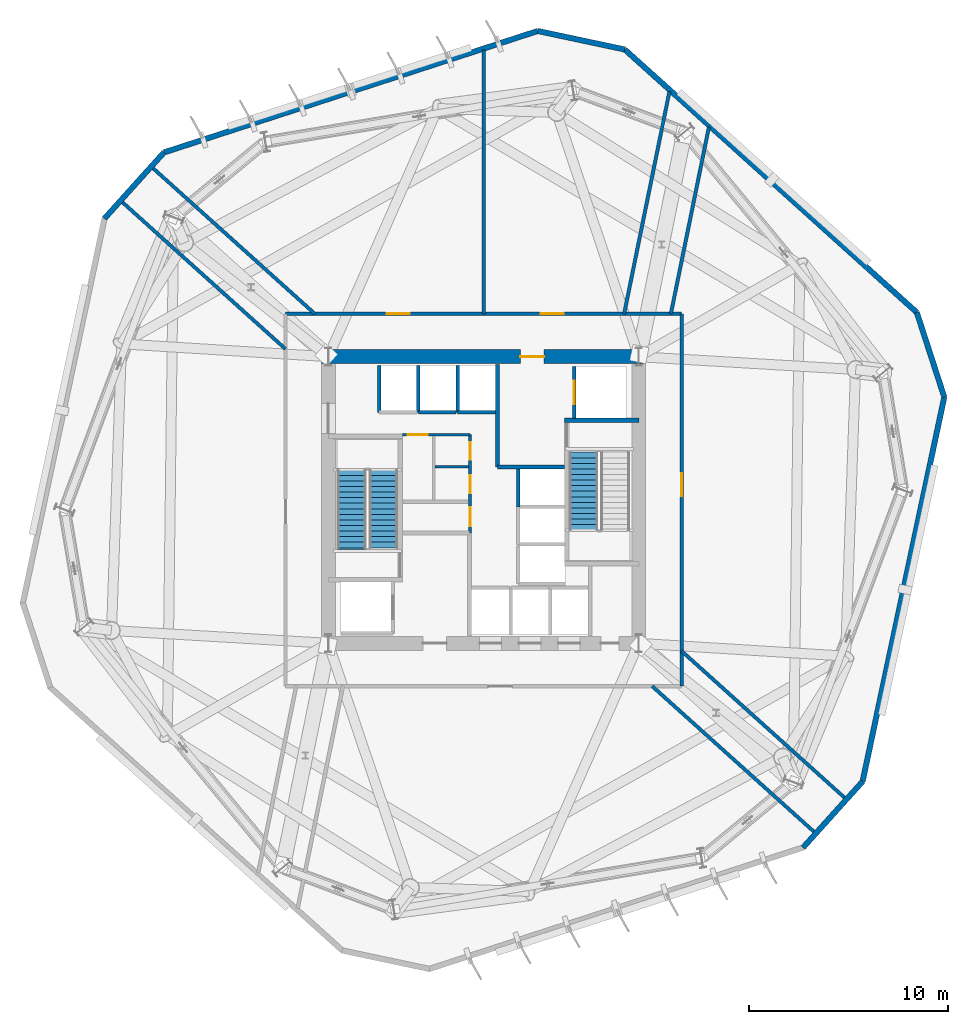
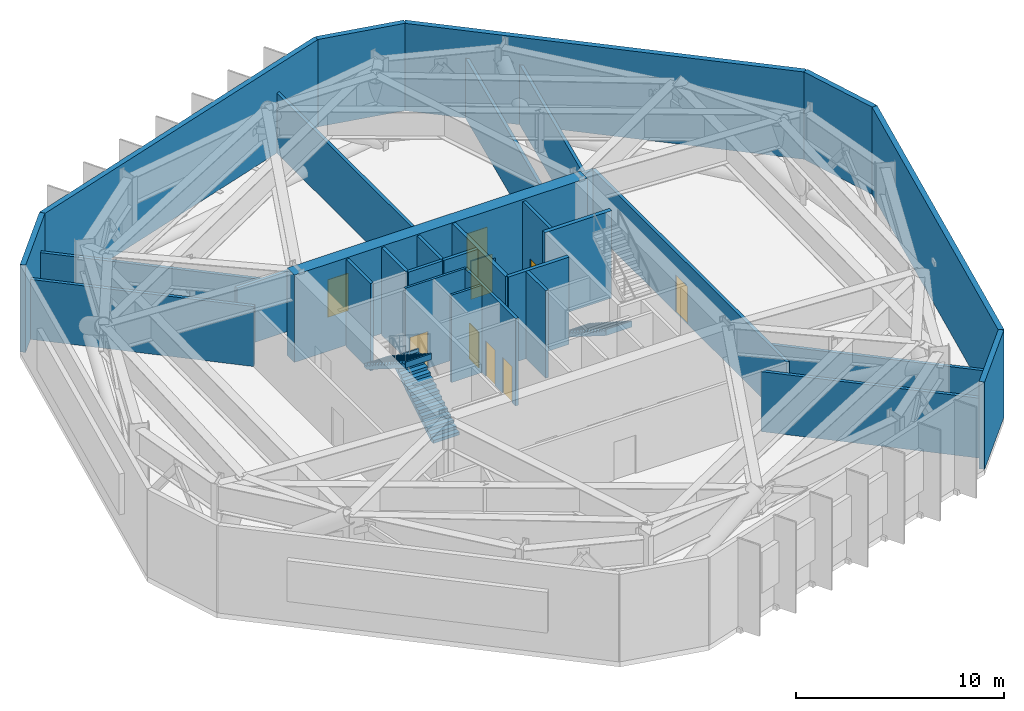
# One storey, part 8 of 12: 30 walls, 9 doors, 3 stair flights, 9 openings, 2 elements without a shape of their own.
"""IFC4 building model written with IfcOpenShell, lengths in metres."""

from ifc_helpers import new_model, si_unit, direction, frame, frame_2d, origin, place, context, subcontext, project, spatial, polyline, rectangle, outline, extrude, material, layer, layer_set, type_object, element, fill, aggregate, save


model = new_model("IFC4")

# Units and contexts
model_context = context("Model", 3, precision=1e-05, world=origin(), true_north=direction((0.0, 1.0)))
body_context = subcontext(model_context, "Body", "Model", "MODEL_VIEW")
ifc_project = project(units=[si_unit("LENGTHUNIT", "METRE"), si_unit("AREAUNIT", "SQUARE_METRE"), si_unit("VOLUMEUNIT", "CUBIC_METRE"), si_unit("PLANEANGLEUNIT", "RADIAN"), si_unit("MASSUNIT", "GRAM", prefix="KILO")], contexts=[model_context])

# Site, building, storey
site_placement = place(None, origin())
site = spatial("IfcSite", under=ifc_project, at=site_placement, CompositionType="ELEMENT")
building_placement = place(site_placement, origin())
building = spatial("IfcBuilding", under=site, at=building_placement, Name="Kranzbogen Civic Tower", CompositionType="ELEMENT")
storey_placement = place(building_placement, frame((0.0, 0.0, 92.0)))
storey = spatial("IfcBuildingStorey", under=building, at=storey_placement, Name="L22", CompositionType="ELEMENT", Elevation=92.0)

# Wall, opening, door
ifc_material_1 = material(Name="Insulated Metal-Stud Gypsum Partition")
ifc_layer_1 = layer(ifc_material_1, 0.125, Name="Insulated Metal-Stud Gypsum Partition")
ifc_layer_set_1 = layer_set([ifc_layer_1], Name="Insulated Metal-Stud Gypsum Partition")
wall_type_1 = type_object("IfcWallType", Name="Acoustic Inter-Room Partition 125 mm", PredefinedType="PARTITIONING", material=ifc_layer_set_1)
wall_1_placement = place(storey_placement, frame((20.919921875, 28.280029296875, 0.0), z_axis=(0.0, 0.0, 1.0), x_axis=(1.0, 0.0, 0.0)))
wall_1 = element("IfcWall", 1, at=wall_1_placement, inside=storey, type_object=wall_type_1, Name="L22 core auxiliary North wall", PredefinedType="PARTITIONING", context=body_context, shape_type="SweptSolid", body=[
    extrude(rectangle(XDim=3.405029296875, YDim=0.125, at=frame_2d((1.70263671875, 0.0))), origin(), (0.0, 0.0, 1.0), 5.139892578125),
])
opening_1_placement = place(wall_1_placement, frame((0.27001953125, 0.0, 0.0)))
opening_1 = element("IfcOpeningElement", 2, at=opening_1_placement, cuts=wall_1, Name="Opening D-RSR10", PredefinedType="OPENING", context=body_context, shape_type="SweptSolid", body=[
    extrude(rectangle(XDim=1.0, YDim=2.14990234375, at=frame_2d((0.5, 1.074951171875))), frame((0.0, 0.072509765625, 0.0), z_axis=(0.0, -1.0, 0.0), x_axis=(1.0, 0.0, 0.0)), (0.0, 0.0, 1.0), 0.14501953125),
])
ifc_material_2 = material(Name="Oak Timber and Fire Core", Category="wood")
door_type_1 = type_object("IfcDoorType", Name="Core Archive and Riser Fire Door 1000x2150", OperationType="NOTDEFINED", PredefinedType="DOOR", material=ifc_material_2)
door_1_placement = place(opening_1_placement, origin())
door_1 = element("IfcDoor", 3, at=door_1_placement, inside=storey, type_object=door_type_1, Name="L22 Floor Supply Store door", OperationType="SINGLE_SWING_LEFT", OverallHeight=2.14990234375, OverallWidth=1.0, PredefinedType="DOOR", context=body_context, shape_type="SweptSolid", body=[
    extrude(rectangle(XDim=1.0, YDim=2.14990234375, at=frame_2d((0.5, 1.074951171875))), frame((0.0, 0.02490234375, 0.0), z_axis=(0.0, -1.0, 0.0), x_axis=(1.0, 0.0, 0.0)), (0.0, 0.0, 1.0), 0.050048828125),
])
fill(opening_1, door_1)

# Wall
wall_2_placement = place(storey_placement, frame((22.550048828125, 26.659912109375, 0.0), z_axis=(0.0, 0.0, 1.0), x_axis=(1.0, 0.0, 0.0)))
element("IfcWall", 4, at=wall_2_placement, inside=storey, type_object=wall_type_1, Name="L22 core auxiliary partition 3", PredefinedType="PARTITIONING", context=body_context, shape_type="SweptSolid", body=[
    extrude(rectangle(XDim=1.699951171875, YDim=0.125, at=frame_2d((0.85009765625, 0.0))), origin(), (0.0, 0.0, 1.0), 5.139892578125),
])

# Wall, opening, door
ifc_material_3 = material(Name="Concrete C55/67", Category="concrete")
ifc_layer_2 = layer(ifc_material_3, 0.699951171875, Name="Concrete C55/67")
ifc_layer_set_2 = layer_set([ifc_layer_2], Name="Concrete C55/67")
wall_type_2 = type_object("IfcWallType", Name="Central Core Shear Wall 700 mm", PredefinedType="SHEAR", material=ifc_layer_set_2)
wall_3_placement = place(storey_placement, frame((33.14990234375, 32.199951171875, 0.0), z_axis=(0.0, 0.0, 1.0), x_axis=(-1.0, 0.0, 0.0)))
wall_3 = element("IfcWall", 5, at=wall_3_placement, inside=storey, type_object=wall_type_2, Name="L22 central core North shear wall", PredefinedType="SHEAR", context=body_context, shape_type="SweptSolid", body=[
    extrude(rectangle(XDim=16.2998046875, YDim=0.699951171875, at=frame_2d((8.14990234375, 0.0))), origin(), (0.0, 0.0, 1.0), 5.139892578125),
])
opening_2_placement = place(wall_3_placement, frame((5.10009765625, 0.0, 0.0)))
opening_2 = element("IfcOpeningElement", 6, at=opening_2_placement, cuts=wall_3, Name="Opening D-EX120", PredefinedType="OPENING", context=body_context, shape_type="SweptSolid", body=[
    extrude(rectangle(XDim=1.199951171875, YDim=2.25, at=frame_2d((0.60009765625, 1.125))), frame((0.0, 0.35986328125, 0.0), z_axis=(0.0, -1.0, 0.0), x_axis=(1.0, 0.0, 0.0)), (0.0, 0.0, 1.0), 0.719970703125),
])
ifc_material_4 = material(Name="Steel S355", Category="steel")
door_type_2 = type_object("IfcDoorType", Name="Exit Passageway Fire Door 1200x2250", OperationType="NOTDEFINED", PredefinedType="DOOR", material=ifc_material_4)
door_2_placement = place(opening_2_placement, origin())
door_2 = element("IfcDoor", 7, at=door_2_placement, inside=storey, type_object=door_type_2, Name="L22 East firefighting lobby corridor door", OperationType="SINGLE_SWING_LEFT", OverallHeight=2.25, OverallWidth=1.199951171875, PredefinedType="DOOR", context=body_context, shape_type="SweptSolid", body=[
    extrude(rectangle(XDim=1.199951171875, YDim=2.25, at=frame_2d((0.60009765625, 1.125))), frame((0.0, 0.02490234375, 0.0), z_axis=(0.0, -1.0, 0.0), x_axis=(1.0, 0.0, 0.0)), (0.0, 0.0, 1.0), 0.050048828125),
])
fill(opening_2, door_2)

# Walls
ifc_material_5 = material(Name="Concrete C45/55", Category="concrete")
ifc_layer_3 = layer(ifc_material_5, 0.219970703125, Name="Concrete C45/55")
ifc_layer_set_3 = layer_set([ifc_layer_3], Name="Concrete C45/55")
wall_type_3 = type_object("IfcWallType", Name="Core Internal Stair Structural Wall 220 mm", PredefinedType="SOLIDWALL", material=ifc_layer_set_3)
wall_4_placement = place(storey_placement, frame((29.080078125, 29.010009765625, 0.0), z_axis=(0.0, 0.0, 1.0), x_axis=(1.0, 0.0, 0.0)))
element("IfcWall", 8, at=wall_4_placement, inside=storey, type_object=wall_type_3, Name="L22 ST-T2 North structural stair wall", PredefinedType="SOLIDWALL", context=body_context, shape_type="SweptSolid", body=[
    extrude(rectangle(XDim=3.719970703125, YDim=0.219970703125, at=frame_2d((1.85986328125, 0.0))), origin(), (0.0, 0.0, 1.0), 5.139892578125),
])
ifc_material_6 = material(Name="Gypsum Fireboard and Concrete Block", Category="concrete")
ifc_layer_4 = layer(ifc_material_6, 0.199951171875, Name="Gypsum Fireboard and Concrete Block")
ifc_layer_set_4 = layer_set([ifc_layer_4], Name="Gypsum Fireboard and Concrete Block")
wall_type_4 = type_object("IfcWallType", Name="Fire-Rated Exit Passageway and Stair Wall 200 mm", PredefinedType="PARTITIONING", material=ifc_layer_set_4)
wall_5_placement = place(storey_placement, frame((25.699951171875, 26.64990234375, 0.0), z_axis=(0.0, 0.0, 1.0), x_axis=(0.0, 1.0, 0.0)))
element("IfcWall", 9, at=wall_5_placement, inside=storey, type_object=wall_type_4, Name="L22 East firefighting lobby West wall", PredefinedType="PARTITIONING", context=body_context, shape_type="SweptSolid", body=[
    extrude(rectangle(XDim=5.150146484375, YDim=0.199951171875, at=frame_2d((2.5751953125, 0.0))), origin(), (0.0, 0.0, 1.0), 5.139892578125),
])
wall_6_placement = place(storey_placement, frame((25.699951171875, 26.64990234375, 0.0), z_axis=(0.0, 0.0, 1.0), x_axis=(1.0, 0.0, 0.0)))
element("IfcWall", 10, at=wall_6_placement, inside=storey, type_object=wall_type_4, Name="L22 East firefighting lobby South wall", PredefinedType="PARTITIONING", context=body_context, shape_type="SweptSolid", body=[
    extrude(rectangle(XDim=3.380126953125, YDim=0.199951171875, at=frame_2d((1.68994140625, 0.0))), origin(), (0.0, 0.0, 1.0), 5.139892578125),
])
ifc_material_7 = material(Name="Gypsum Fireboard Shaftliner")
ifc_layer_5 = layer(ifc_material_7, 0.175048828125, Name="Gypsum Fireboard Shaftliner")
ifc_layer_set_5 = layer_set([ifc_layer_5], Name="Gypsum Fireboard Shaftliner")
wall_type_5 = type_object("IfcWallType", Name="Fire-Rated Lift and Service Shaft Wall 175 mm", PredefinedType="PARTITIONING", material=ifc_layer_set_5)
wall_7_placement = place(storey_placement, frame((19.75, 29.39990234375, 0.0), z_axis=(0.0, 0.0, 1.0), x_axis=(0.0, 1.0, 0.0)))
element("IfcWall", 11, at=wall_7_placement, inside=storey, type_object=wall_type_5, Name="L22 lift MP-01 side wall", PredefinedType="PARTITIONING", context=body_context, shape_type="SweptSolid", body=[
    extrude(rectangle(XDim=2.35009765625, YDim=0.175048828125, at=frame_2d((1.175048828125, 0.0))), origin(), (0.0, 0.0, 1.0), 5.139892578125),
])
wall_8_placement = place(storey_placement, frame((21.72509765625, 29.39990234375, 0.0), z_axis=(0.0, 0.0, 1.0), x_axis=(1.0, 0.0, 0.0)))
element("IfcWall", 12, at=wall_8_placement, inside=storey, type_object=wall_type_5, Name="L22 lift MP-02 rear wall", PredefinedType="PARTITIONING", context=body_context, shape_type="SweptSolid", body=[
    extrude(rectangle(XDim=1.89990234375, YDim=0.175048828125, at=frame_2d((0.949951171875, 0.0))), origin(), (0.0, 0.0, 1.0), 5.139892578125),
])
wall_9_placement = place(storey_placement, frame((21.72509765625, 29.39990234375, 0.0), z_axis=(0.0, 0.0, 1.0), x_axis=(0.0, 1.0, 0.0)))
element("IfcWall", 13, at=wall_9_placement, inside=storey, type_object=wall_type_5, Name="L22 lift MP-02 side wall", PredefinedType="PARTITIONING", context=body_context, shape_type="SweptSolid", body=[
    extrude(rectangle(XDim=2.35009765625, YDim=0.175048828125, at=frame_2d((1.175048828125, 0.0))), origin(), (0.0, 0.0, 1.0), 5.139892578125),
])
wall_10_placement = place(storey_placement, frame((23.699951171875, 29.39990234375, 0.0), z_axis=(0.0, 0.0, 1.0), x_axis=(1.0, 0.0, 0.0)))
element("IfcWall", 14, at=wall_10_placement, inside=storey, type_object=wall_type_5, Name="L22 lift MP-03 rear wall", PredefinedType="PARTITIONING", context=body_context, shape_type="SweptSolid", body=[
    extrude(rectangle(XDim=1.900146484375, YDim=0.175048828125, at=frame_2d((0.9501953125, 0.0))), origin(), (0.0, 0.0, 1.0), 5.139892578125),
])
wall_11_placement = place(storey_placement, frame((23.699951171875, 29.39990234375, 0.0), z_axis=(0.0, 0.0, 1.0), x_axis=(0.0, 1.0, 0.0)))
element("IfcWall", 15, at=wall_11_placement, inside=storey, type_object=wall_type_5, Name="L22 lift MP-03 side wall", PredefinedType="PARTITIONING", context=body_context, shape_type="SweptSolid", body=[
    extrude(rectangle(XDim=2.35009765625, YDim=0.175048828125, at=frame_2d((1.175048828125, 0.0))), origin(), (0.0, 0.0, 1.0), 5.139892578125),
])
wall_12_placement = place(storey_placement, frame((26.75, 24.64990234375, 0.0), z_axis=(0.0, 0.0, 1.0), x_axis=(0.0, 1.0, 0.0)))
element("IfcWall", 16, at=wall_12_placement, inside=storey, type_object=wall_type_5, Name="L22 lift HP-03 landing wall", PredefinedType="PARTITIONING", context=body_context, shape_type="SweptSolid", body=[
    extrude(rectangle(XDim=1.900146484375, YDim=0.175048828125, at=frame_2d((0.9501953125, 0.0))), origin(), (0.0, 0.0, 1.0), 5.139892578125),
])

# Wall, opening, door
wall_13_placement = place(storey_placement, frame((29.550048828125, 29.10009765625, 0.0), z_axis=(0.0, 0.0, 1.0), x_axis=(0.0, 1.0, 0.0)))
wall_13 = element("IfcWall", 17, at=wall_13_placement, inside=storey, type_object=wall_type_5, Name="L22 lift FF-02 landing wall", PredefinedType="PARTITIONING", context=body_context, shape_type="SweptSolid", body=[
    extrude(rectangle(XDim=2.599853515625, YDim=0.175048828125, at=frame_2d((1.2998046875, 0.0))), origin(), (0.0, 0.0, 1.0), 5.139892578125),
])
opening_3_placement = place(wall_13_placement, frame((0.699951171875, 0.0, 0.0)))
opening_3 = element("IfcOpeningElement", 18, at=opening_3_placement, cuts=wall_13, Name="Opening LD-FF-02", PredefinedType="OPENING", context=body_context, shape_type="SweptSolid", body=[
    extrude(rectangle(XDim=1.199951171875, YDim=2.199951171875, at=frame_2d((0.60009765625, 1.10009765625))), frame((0.0, 0.09765625, 0.0), z_axis=(0.0, -1.0, 0.0), x_axis=(1.0, 0.0, 0.0)), (0.0, 0.0, 1.0), 0.195068359375),
])
ifc_material_8 = material(Name="Pale Anodised Aluminium", Category="aluminium")
door_type_3 = type_object("IfcDoorType", Name="Firefighting and Stretcher Lift Sliding Landing Door 1200x2200", OperationType="DOUBLE_DOOR_SLIDING", PredefinedType="DOOR", material=ifc_material_8)
door_3_placement = place(opening_3_placement, origin())
door_3 = element("IfcDoor", 19, at=door_3_placement, inside=storey, type_object=door_type_3, Name="L22 lift FF-02 sliding landing door", OperationType="DOUBLE_DOOR_SLIDING", OverallHeight=2.199951171875, OverallWidth=1.199951171875, PredefinedType="DOOR", context=body_context, shape_type="SweptSolid", body=[
    extrude(rectangle(XDim=1.199951171875, YDim=2.199951171875, at=frame_2d((0.60009765625, 1.10009765625))), frame((0.0, 0.02490234375, 0.0), z_axis=(0.0, -1.0, 0.0), x_axis=(1.0, 0.0, 0.0)), (0.0, 0.0, 1.0), 0.050048828125),
])
fill(opening_3, door_3)

# Wall, openings, doors
wall_14_placement = place(storey_placement, frame((15.050048828125, 34.35009765625, 0.0), z_axis=(0.0, 0.0, 1.0), x_axis=(1.0, 0.0, 0.0)))
wall_14 = element("IfcWall", 20, at=wall_14_placement, inside=storey, type_object=wall_type_5, Name="L22 corridor partition 01", PredefinedType="PARTITIONING", context=body_context, shape_type="SweptSolid", body=[
    extrude(rectangle(XDim=19.89990234375, YDim=0.175048828125, at=frame_2d((9.949951171875, 0.0))), origin(), (0.0, 0.0, 1.0), 3.5400390625),
])
opening_4_placement = place(wall_14_placement, frame((12.825927734375, 0.0, 0.0)))
opening_4 = element("IfcOpeningElement", 21, at=opening_4_placement, cuts=wall_14, Name="Opening D-ST90", PredefinedType="OPENING", context=body_context, shape_type="SweptSolid", body=[
    extrude(rectangle(XDim=1.14990234375, YDim=2.199951171875, at=frame_2d((0.574951171875, 1.10009765625))), frame((0.0, 0.09765625, 0.0), z_axis=(0.0, -1.0, 0.0), x_axis=(1.0, 0.0, 0.0)), (0.0, 0.0, 1.0), 0.195068359375),
])
opening_5_placement = place(wall_14_placement, frame((5.0849609375, 0.0, 0.0)))
opening_5 = element("IfcOpeningElement", 22, at=opening_5_placement, cuts=wall_14, Name="Opening D-ST90", PredefinedType="OPENING", context=body_context, shape_type="SweptSolid", body=[
    extrude(rectangle(XDim=1.14990234375, YDim=2.199951171875, at=frame_2d((0.574951171875, 1.10009765625))), frame((0.0, 0.09765625, 0.0), z_axis=(0.0, -1.0, 0.0), x_axis=(1.0, 0.0, 0.0)), (0.0, 0.0, 1.0), 0.195068359375),
])
door_type_4 = type_object("IfcDoorType", Name="Pressurized Stair and Lobby Fire Door 1150x2200", OperationType="NOTDEFINED", PredefinedType="DOOR", material=ifc_material_4)
door_4_placement = place(opening_4_placement, origin())
door_4 = element("IfcDoor", 23, at=door_4_placement, inside=storey, type_object=door_type_4, Name="L22 Chilled Water Heat Exchanger Plant door", OperationType="SINGLE_SWING_LEFT", OverallHeight=2.199951171875, OverallWidth=1.14990234375, PredefinedType="DOOR", context=body_context, shape_type="SweptSolid", body=[
    extrude(rectangle(XDim=1.14990234375, YDim=2.199951171875, at=frame_2d((0.574951171875, 1.10009765625))), frame((0.0, 0.02490234375, 0.0), z_axis=(0.0, -1.0, 0.0), x_axis=(1.0, 0.0, 0.0)), (0.0, 0.0, 1.0), 0.050048828125),
])
fill(opening_4, door_4)
door_5_placement = place(opening_5_placement, origin())
door_5 = element("IfcDoor", 24, at=door_5_placement, inside=storey, type_object=door_type_4, Name="L22 Medium Voltage Switchgear and UPS Room door", OperationType="SINGLE_SWING_RIGHT", OverallHeight=2.199951171875, OverallWidth=1.14990234375, PredefinedType="DOOR", context=body_context, shape_type="SweptSolid", body=[
    extrude(rectangle(XDim=1.14990234375, YDim=2.199951171875, at=frame_2d((0.574951171875, 1.10009765625))), frame((0.0, 0.02490234375, 0.0), z_axis=(0.0, -1.0, 0.0), x_axis=(1.0, 0.0, 0.0)), (0.0, 0.0, 1.0), 0.050048828125),
])
fill(opening_5, door_5)

# Wall, opening, door
wall_15_placement = place(storey_placement, frame((34.949951171875, 34.35009765625, 0.0), z_axis=(0.0, 0.0, 1.0), x_axis=(0.0, -1.0, 0.0)))
wall_15 = element("IfcWall", 25, at=wall_15_placement, inside=storey, type_object=wall_type_5, Name="L22 corridor partition 02", PredefinedType="PARTITIONING", context=body_context, shape_type="SweptSolid", body=[
    extrude(rectangle(XDim=18.7001953125, YDim=0.175048828125, at=frame_2d((9.35009765625, 0.0))), origin(), (0.0, 0.0, 1.0), 3.5400390625),
])
opening_6_placement = place(wall_15_placement, frame((8.012939453125, 0.0, 0.0)))
opening_6 = element("IfcOpeningElement", 26, at=opening_6_placement, cuts=wall_15, Name="Opening D-ST90", PredefinedType="OPENING", context=body_context, shape_type="SweptSolid", body=[
    extrude(rectangle(XDim=1.14990234375, YDim=2.199951171875, at=frame_2d((0.574951171875, 1.10009765625))), frame((0.0, 0.09765625, 0.0), z_axis=(0.0, -1.0, 0.0), x_axis=(1.0, 0.0, 0.0)), (0.0, 0.0, 1.0), 0.195068359375),
])
door_6_placement = place(opening_6_placement, origin())
door_6 = element("IfcDoor", 27, at=door_6_placement, inside=storey, type_object=door_type_4, Name="L22 Primary Air Handling Plant Room door", OperationType="SINGLE_SWING_RIGHT", OverallHeight=2.199951171875, OverallWidth=1.14990234375, PredefinedType="DOOR", context=body_context, shape_type="SweptSolid", body=[
    extrude(rectangle(XDim=1.14990234375, YDim=2.199951171875, at=frame_2d((0.574951171875, 1.10009765625))), frame((0.0, 0.02490234375, 0.0), z_axis=(0.0, -1.0, 0.0), x_axis=(1.0, 0.0, 0.0)), (0.0, 0.0, 1.0), 0.050048828125),
])
fill(opening_6, door_6)

# Walls
wall_16_placement = place(storey_placement, frame((33.469970703125, 15.64990234375, 0.0), z_axis=(0.0, 0.0, 1.0), x_axis=(0.743388992032, -0.66885933239, 0.0)))
element("IfcWall", 28, at=wall_16_placement, inside=storey, type_object=wall_type_5, Name="L22 radial room partition 03", PredefinedType="PARTITIONING", context=body_context, shape_type="SweptSolid", body=[
    extrude(rectangle(XDim=11.006591796875, YDim=0.175048828125, at=frame_2d((5.50341796875, 0.0))), origin(), (0.0, 0.0, 1.0), 3.530029296875),
])
wall_17_placement = place(storey_placement, frame((34.949951171875, 17.412109375, 0.0), z_axis=(0.0, 0.0, 1.0), x_axis=(0.743376269503, -0.668873472295, 0.0)))
element("IfcWall", 29, at=wall_17_placement, inside=storey, type_object=wall_type_5, Name="L22 radial room partition 04", PredefinedType="PARTITIONING", context=body_context, shape_type="SweptSolid", body=[
    extrude(rectangle(XDim=11.0859375, YDim=0.175048828125, at=frame_2d((5.54296875, 0.0))), origin(), (0.0, 0.0, 1.0), 3.530029296875),
])
wall_18_placement = place(storey_placement, frame((34.412109375, 34.35009765625, 0.0), z_axis=(0.0, 0.0, 1.0), x_axis=(0.199614906569, 0.979874425156, 0.0)))
element("IfcWall", 30, at=wall_18_placement, inside=storey, type_object=wall_type_5, Name="L22 radial room partition 05", PredefinedType="PARTITIONING", context=body_context, shape_type="SweptSolid", body=[
    extrude(rectangle(XDim=9.577880859375, YDim=0.175048828125, at=frame_2d((4.7890625, 0.0))), origin(), (0.0, 0.0, 1.0), 3.530029296875),
])
wall_19_placement = place(storey_placement, frame((32.06396484375, 34.35009765625, 0.0), z_axis=(0.0, 0.0, 1.0), x_axis=(0.199652459502, 0.979866774319, 0.0)))
element("IfcWall", 31, at=wall_19_placement, inside=storey, type_object=wall_type_5, Name="L22 radial room partition 06", PredefinedType="PARTITIONING", context=body_context, shape_type="SweptSolid", body=[
    extrude(rectangle(XDim=11.400390625, YDim=0.175048828125, at=frame_2d((5.7001953125, 0.0))), origin(), (0.0, 0.0, 1.0), 3.530029296875),
])
wall_20_placement = place(storey_placement, frame((16.530029296875, 34.35009765625, 0.0), z_axis=(0.0, 0.0, 1.0), x_axis=(-0.743388992032, 0.66885933239, 0.0)))
element("IfcWall", 32, at=wall_20_placement, inside=storey, type_object=wall_type_5, Name="L22 radial room partition 07", PredefinedType="PARTITIONING", context=body_context, shape_type="SweptSolid", body=[
    extrude(rectangle(XDim=11.006591796875, YDim=0.175048828125, at=frame_2d((5.50341796875, 0.0))), origin(), (0.0, 0.0, 1.0), 3.530029296875),
])
wall_21_placement = place(storey_placement, frame((15.050048828125, 32.587890625, 0.0), z_axis=(0.0, 0.0, 1.0), x_axis=(-0.743376269503, 0.668873472295, 0.0)))
element("IfcWall", 33, at=wall_21_placement, inside=storey, type_object=wall_type_5, Name="L22 radial room partition 08", PredefinedType="PARTITIONING", context=body_context, shape_type="SweptSolid", body=[
    extrude(rectangle(XDim=11.0859375, YDim=0.175048828125, at=frame_2d((5.54296875, 0.0))), origin(), (0.0, 0.0, 1.0), 3.530029296875),
])
wall_22_placement = place(storey_placement, frame((25.0, 34.35009765625, 0.0), z_axis=(0.0, 0.0, 1.0), x_axis=(0.0, 1.0, 0.0)))
element("IfcWall", 34, at=wall_22_placement, inside=storey, type_object=wall_type_5, Name="L22 radial room partition 09", PredefinedType="PARTITIONING", context=body_context, shape_type="SweptSolid", body=[
    extrude(rectangle(XDim=13.2568359375, YDim=0.175048828125, at=frame_2d((6.62841796875, 0.0))), origin(), (0.0, 0.0, 1.0), 3.530029296875),
])
ifc_layer_6 = layer(ifc_material_8, 0.280029296875, Name="Pale Anodised Aluminium")
ifc_layer_set_6 = layer_set([ifc_layer_6], Name="Pale Anodised Aluminium")
wall_type_6 = type_object("IfcWallType", Name="Plant Acoustic Insulated Spandrel Wall 280 mm", PredefinedType="STANDARD", material=ifc_layer_set_6)
wall_23_placement = place(storey_placement, frame((46.77197265625, 34.425048828125, 0.0), z_axis=(0.0, 0.0, 1.0), x_axis=(-0.743161948842, 0.669111588446, 0.0)))
element("IfcWall", 35, at=wall_23_placement, inside=storey, type_object=wall_type_6, Name="L22 mechanical plant spandrel wall M1", PredefinedType="STANDARD", context=body_context, shape_type="SweptSolid", body=[
    extrude(rectangle(XDim=19.745361328125, YDim=0.280029296875, at=frame_2d((9.87255859375, 0.0))), origin(), (0.0, 0.0, 1.0), 5.139892578125),
])
wall_24_placement = place(storey_placement, frame((32.097900390625, 47.636962890625, 0.0), z_axis=(0.0, 0.0, 1.0), x_axis=(-0.978092216597, 0.20817208226, 0.0)))
element("IfcWall", 36, at=wall_24_placement, inside=storey, type_object=wall_type_6, Name="L22 mechanical plant spandrel wall C1", PredefinedType="STANDARD", context=body_context, shape_type="SweptSolid", body=[
    extrude(rectangle(XDim=4.472900390625, YDim=0.280029296875, at=frame_2d((2.236328125, 0.0))), origin(), (0.0, 0.0, 1.0), 5.139892578125),
])
wall_25_placement = place(storey_placement, frame((27.722900390625, 48.568115234375, 0.0), z_axis=(0.0, 0.0, 1.0), x_axis=(-0.951045154023, -0.309051961667, 0.0)))
element("IfcWall", 37, at=wall_25_placement, inside=storey, type_object=wall_type_6, Name="L22 mechanical plant spandrel wall M2", PredefinedType="STANDARD", context=body_context, shape_type="SweptSolid", body=[
    extrude(rectangle(XDim=19.744384765625, YDim=0.280029296875, at=frame_2d((9.8720703125, 0.0))), origin(), (0.0, 0.0, 1.0), 5.139892578125),
])
for number, where, z_axis, x_axis, name in (
    (38, (8.945068359375, 42.466064453125, 0.0), (0.0, 0.0, 1.0), (-0.669281253692, -0.743009154356, 0.0), "L22 mechanical plant spandrel wall C2"),
    (39, (41.054931640625, 7.533935546875, 0.0), (0.0, 0.0, 1.0), (0.669281253692, 0.743009154356, 0.0), "L22 mechanical plant spandrel wall C5"),
):
    element("IfcWall", number, at=place(storey_placement, frame(where, z_axis=z_axis, x_axis=x_axis)), inside=storey, type_object=wall_type_6, Name=name, PredefinedType="STANDARD", context=body_context, shape_type="SweptSolid", body=[
        extrude(rectangle(XDim=4.4736328125, YDim=0.280029296875, at=frame_2d((2.23681640625, 0.0))), origin(), (0.0, 0.0, 1.0), 5.139892578125),
    ])
wall_26_placement = place(storey_placement, frame((44.049072265625, 10.85791015625, 0.0), z_axis=(0.0, 0.0, 1.0), x_axis=(0.207858460047, 0.97815891377, 0.0)))
element("IfcWall", 40, at=wall_26_placement, inside=storey, type_object=wall_type_6, Name="L22 mechanical plant spandrel wall M6", PredefinedType="STANDARD", context=body_context, shape_type="SweptSolid", body=[
    extrude(rectangle(XDim=19.744140625, YDim=0.280029296875, at=frame_2d((9.8720703125, 0.0))), origin(), (0.0, 0.0, 1.0), 5.139892578125),
])
wall_27_placement = place(storey_placement, frame((48.153076171875, 30.1708984375, 0.0), z_axis=(0.0, 0.0, 1.0), x_axis=(-0.308783667438, 0.951132297172, 0.0)))
element("IfcWall", 41, at=wall_27_placement, inside=storey, type_object=wall_type_6, Name="L22 mechanical plant spandrel wall C6", PredefinedType="STANDARD", context=body_context, shape_type="SweptSolid", body=[
    extrude(rectangle(XDim=4.47265625, YDim=0.280029296875, at=frame_2d((2.236328125, 0.0))), origin(), (0.0, 0.0, 1.0), 5.139892578125),
])

# Wall, openings, doors
ifc_material_9 = material(Name="Moisture-Resistant Gypsum Assembly")
ifc_layer_7 = layer(ifc_material_9, 0.159912109375, Name="Moisture-Resistant Gypsum Assembly")
ifc_layer_set_7 = layer_set([ifc_layer_7], Name="Moisture-Resistant Gypsum Assembly")
wall_type_7 = type_object("IfcWallType", Name="Sanitary and Plumbing Wet Wall 160 mm", PredefinedType="PLUMBINGWALL", material=ifc_layer_set_7)
wall_28_placement = place(storey_placement, frame((24.324951171875, 23.35009765625, 0.0), z_axis=(0.0, 0.0, 1.0), x_axis=(0.0, 1.0, 0.0)))
wall_28 = element("IfcWall", 42, at=wall_28_placement, inside=storey, type_object=wall_type_7, Name="L22 core auxiliary East wall", PredefinedType="PLUMBINGWALL", context=body_context, shape_type="SweptSolid", body=[
    extrude(rectangle(XDim=4.929931640625, YDim=0.159912109375, at=frame_2d((2.46484375, 0.0))), origin(), (0.0, 0.0, 1.0), 5.139892578125),
])
opening_7_placement = place(wall_28_placement, frame((0.324951171875, 0.0, 0.0)))
opening_7 = element("IfcOpeningElement", 43, at=opening_7_placement, cuts=wall_28, Name="Opening D-AWC95", PredefinedType="OPENING", context=body_context, shape_type="SweptSolid", body=[
    extrude(rectangle(XDim=0.949951171875, YDim=2.10009765625, at=frame_2d((0.47509765625, 1.050048828125))), frame((0.0, 0.08984375, 0.0), z_axis=(0.0, -1.0, 0.0), x_axis=(1.0, 0.0, 0.0)), (0.0, 0.0, 1.0), 0.179931640625),
])
opening_8_placement = place(wall_28_placement, frame((1.985107421875, 0.0, 0.0)))
opening_8 = element("IfcOpeningElement", 44, at=opening_8_placement, cuts=wall_28, Name="Opening D-WC90", PredefinedType="OPENING", context=body_context, shape_type="SweptSolid", body=[
    extrude(rectangle(XDim=0.89990234375, YDim=2.10009765625, at=frame_2d((0.449951171875, 1.050048828125))), frame((0.0, 0.08984375, 0.0), z_axis=(0.0, -1.0, 0.0), x_axis=(1.0, 0.0, 0.0)), (0.0, 0.0, 1.0), 0.179931640625),
])
opening_9_placement = place(wall_28_placement, frame((3.659912109375, 0.0, 0.0)))
opening_9 = element("IfcOpeningElement", 45, at=opening_9_placement, cuts=wall_28, Name="Opening D-WC90", PredefinedType="OPENING", context=body_context, shape_type="SweptSolid", body=[
    extrude(rectangle(XDim=0.89990234375, YDim=2.10009765625, at=frame_2d((0.449951171875, 1.050048828125))), frame((0.0, 0.08984375, 0.0), z_axis=(0.0, -1.0, 0.0), x_axis=(1.0, 0.0, 0.0)), (0.0, 0.0, 1.0), 0.179931640625),
])
ifc_material_10 = material(Name="Moisture-Resistant Laminate")
door_type_5 = type_object("IfcDoorType", Name="Accessible Restroom Door 950x2100", OperationType="NOTDEFINED", PredefinedType="DOOR", material=ifc_material_10)
door_7_placement = place(opening_7_placement, origin())
door_7 = element("IfcDoor", 46, at=door_7_placement, inside=storey, type_object=door_type_5, Name="L22 Accessible Restroom door", OperationType="SINGLE_SWING_RIGHT", OverallHeight=2.10009765625, OverallWidth=0.949951171875, PredefinedType="DOOR", context=body_context, shape_type="SweptSolid", body=[
    extrude(rectangle(XDim=0.949951171875, YDim=2.10009765625, at=frame_2d((0.47509765625, 1.050048828125))), frame((0.0, 0.02490234375, 0.0), z_axis=(0.0, -1.0, 0.0), x_axis=(1.0, 0.0, 0.0)), (0.0, 0.0, 1.0), 0.050048828125),
])
fill(opening_7, door_7)
door_type_6 = type_object("IfcDoorType", Name="Standard Restroom and Store Door 900x2100", OperationType="NOTDEFINED", PredefinedType="DOOR", material=ifc_material_10)
door_8_placement = place(opening_8_placement, origin())
door_8 = element("IfcDoor", 47, at=door_8_placement, inside=storey, type_object=door_type_6, Name="L22 Gender-Neutral Restroom door", OperationType="SINGLE_SWING_LEFT", OverallHeight=2.10009765625, OverallWidth=0.89990234375, PredefinedType="DOOR", context=body_context, shape_type="SweptSolid", body=[
    extrude(rectangle(XDim=0.89990234375, YDim=2.10009765625, at=frame_2d((0.449951171875, 1.050048828125))), frame((0.0, 0.02490234375, 0.0), z_axis=(0.0, -1.0, 0.0), x_axis=(1.0, 0.0, 0.0)), (0.0, 0.0, 1.0), 0.050048828125),
])
fill(opening_8, door_8)
door_9_placement = place(opening_9_placement, origin())
door_9 = element("IfcDoor", 48, at=door_9_placement, inside=storey, type_object=door_type_6, Name="L22 Floor IT Patch Closet door", OperationType="SINGLE_SWING_RIGHT", OverallHeight=2.10009765625, OverallWidth=0.89990234375, PredefinedType="DOOR", context=body_context, shape_type="SweptSolid", body=[
    extrude(rectangle(XDim=0.89990234375, YDim=2.10009765625, at=frame_2d((0.449951171875, 1.050048828125))), frame((0.0, 0.02490234375, 0.0), z_axis=(0.0, -1.0, 0.0), x_axis=(1.0, 0.0, 0.0)), (0.0, 0.0, 1.0), 0.050048828125),
])
fill(opening_9, door_9)

# Stair, stair flights
ifc_material_11 = material(Name="Precast concrete C40/50", Category="concrete")
stair_type_1 = type_object("IfcStairType", Name="Tower Core Pressurized Dogleg Stair 1450", PredefinedType="HALF_TURN_STAIR", material=ifc_material_11)
stair_1_placement = place(storey_placement, origin())
stair_1 = element("IfcStair", 49, at=stair_1_placement, inside=storey, type_object=stair_type_1, Name="L22 Tower Core Pressurized Stair 1", PredefinedType="HALF_TURN_STAIR")
stair_flight_type = type_object("IfcStairFlightType", Name="Precast Concrete Stair Flight R180", PredefinedType="STRAIGHT", material=ifc_material_11)
stair_flight_1_placement = place(storey_placement, frame((19.97509765625, 22.60009765625, 0.0), z_axis=(0.0, 0.0, 1.0), x_axis=(0.0, 1.0, 0.0)))
stair_flight_1 = element("IfcStairFlight", 50, at=stair_flight_1_placement, type_object=stair_flight_type, Name="ST-T1 flight 1", NumberOfRisers=15, NumberOfTreads=14, PredefinedType="STRAIGHT", RiserHeight=0.18, TreadLength=0.28, context=body_context, shape_type="SweptSolid", body=[
    extrude(outline(polyline([(0.0, 0.0), (0.0, 0.179931640625), (0.280029296875, 0.179931640625), (0.280029296875, 0.360107421875), (0.56005859375, 0.360107421875), (0.56005859375, 0.5400390625), (0.840087890625, 0.5400390625), (0.840087890625, 0.719970703125), (1.1201171875, 0.719970703125), (1.1201171875, 0.89990234375), (1.39990234375, 0.89990234375), (1.39990234375, 1.080078125), (1.679931640625, 1.080078125), (1.679931640625, 1.260009765625), (1.9599609375, 1.260009765625), (1.9599609375, 1.43994140625), (2.239990234375, 1.43994140625), (2.239990234375, 1.6201171875), (2.52001953125, 1.6201171875), (2.52001953125, 1.800048828125), (2.800048828125, 1.800048828125), (2.800048828125, 1.97998046875), (3.080078125, 1.97998046875), (3.080078125, 2.159912109375), (3.360107421875, 2.159912109375), (3.360107421875, 2.340087890625), (3.639892578125, 2.340087890625), (3.639892578125, 2.52001953125), (3.919921875, 2.52001953125), (3.919921875, 2.699951171875), (4.0, 2.699951171875), (4.0, 2.341796875), (0.277099609375, 0.0), (0.0, 0.0)])), frame((0.0, 0.72509765625, 0.0), z_axis=(0.0, -1.0, 0.0), x_axis=(1.0, 0.0, 0.0)), (0.0, 0.0, 1.0), 1.449951171875),
])
stair_flight_2_placement = place(storey_placement, frame((18.375, 26.52001953125, 2.699951171875), z_axis=(0.0, 0.0, 1.0), x_axis=(0.0, -1.0, 0.0)))
stair_flight_2 = element("IfcStairFlight", 51, at=stair_flight_2_placement, type_object=stair_flight_type, Name="ST-T1 flight 2", NumberOfRisers=15, NumberOfTreads=14, PredefinedType="STRAIGHT", RiserHeight=0.18, TreadLength=0.28, context=body_context, shape_type="SweptSolid", body=[
    extrude(outline(polyline([(0.0, 0.0), (0.0, 0.179931640625), (0.280029296875, 0.179931640625), (0.280029296875, 0.360107421875), (0.56005859375, 0.360107421875), (0.56005859375, 0.5400390625), (0.840087890625, 0.5400390625), (0.840087890625, 0.719970703125), (1.1201171875, 0.719970703125), (1.1201171875, 0.89990234375), (1.39990234375, 0.89990234375), (1.39990234375, 1.080078125), (1.679931640625, 1.080078125), (1.679931640625, 1.260009765625), (1.9599609375, 1.260009765625), (1.9599609375, 1.43994140625), (2.239990234375, 1.43994140625), (2.239990234375, 1.6201171875), (2.52001953125, 1.6201171875), (2.52001953125, 1.800048828125), (2.800048828125, 1.800048828125), (2.800048828125, 1.97998046875), (3.080078125, 1.97998046875), (3.080078125, 2.159912109375), (3.360107421875, 2.159912109375), (3.360107421875, 2.340087890625), (3.639892578125, 2.340087890625), (3.639892578125, 2.52001953125), (3.919921875, 2.52001953125), (3.919921875, 2.699951171875), (4.0, 2.699951171875), (4.0, 2.341796875), (0.277099609375, 0.0), (0.0, 0.0)])), frame((0.0, 0.72509765625, 0.0), z_axis=(0.0, -1.0, 0.0), x_axis=(1.0, 0.0, 0.0)), (0.0, 0.0, 1.0), 1.449951171875),
])
aggregate(stair_1, [stair_flight_1, stair_flight_2])

# Stair, stair flight
stair_type_2 = type_object("IfcStairType", Name="Tower Core Secondary Dogleg Stair 1450", PredefinedType="HALF_TURN_STAIR", material=ifc_material_11)
stair_2_placement = place(storey_placement, origin())
stair_2 = element("IfcStair", 52, at=stair_2_placement, inside=storey, type_object=stair_type_2, Name="L22 Tower Core Pressurized Stair 2", PredefinedType="HALF_TURN_STAIR")
stair_flight_3_placement = place(storey_placement, frame((30.02490234375, 27.39990234375, 0.0), z_axis=(0.0, 0.0, 1.0), x_axis=(0.0, -1.0, 0.0)))
stair_flight_3 = element("IfcStairFlight", 53, at=stair_flight_3_placement, type_object=stair_flight_type, Name="ST-T2 flight 1", NumberOfRisers=15, NumberOfTreads=14, PredefinedType="STRAIGHT", RiserHeight=0.18, TreadLength=0.28, context=body_context, shape_type="SweptSolid", body=[
    extrude(outline(polyline([(0.0, 0.0), (0.0, 0.179931640625), (0.280029296875, 0.179931640625), (0.280029296875, 0.360107421875), (0.56005859375, 0.360107421875), (0.56005859375, 0.5400390625), (0.840087890625, 0.5400390625), (0.840087890625, 0.719970703125), (1.1201171875, 0.719970703125), (1.1201171875, 0.89990234375), (1.39990234375, 0.89990234375), (1.39990234375, 1.080078125), (1.679931640625, 1.080078125), (1.679931640625, 1.260009765625), (1.9599609375, 1.260009765625), (1.9599609375, 1.43994140625), (2.239990234375, 1.43994140625), (2.239990234375, 1.6201171875), (2.52001953125, 1.6201171875), (2.52001953125, 1.800048828125), (2.800048828125, 1.800048828125), (2.800048828125, 1.97998046875), (3.080078125, 1.97998046875), (3.080078125, 2.159912109375), (3.360107421875, 2.159912109375), (3.360107421875, 2.340087890625), (3.639892578125, 2.340087890625), (3.639892578125, 2.52001953125), (3.919921875, 2.52001953125), (3.919921875, 2.699951171875), (4.0, 2.699951171875), (4.0, 2.341796875), (0.277099609375, 0.0), (0.0, 0.0)])), frame((0.0, 0.72509765625, 0.0), z_axis=(0.0, -1.0, 0.0), x_axis=(1.0, 0.0, 0.0)), (0.0, 0.0, 1.0), 1.449951171875),
])
aggregate(stair_2, [stair_flight_3])

save(model, "model.ifc")
